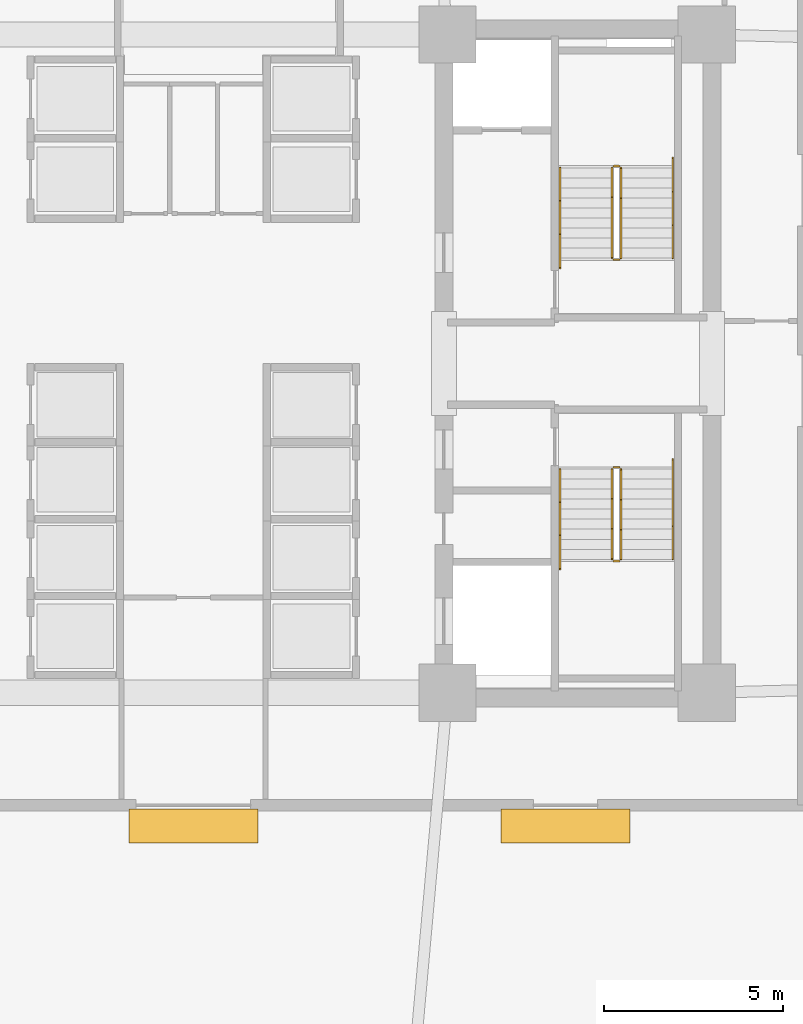
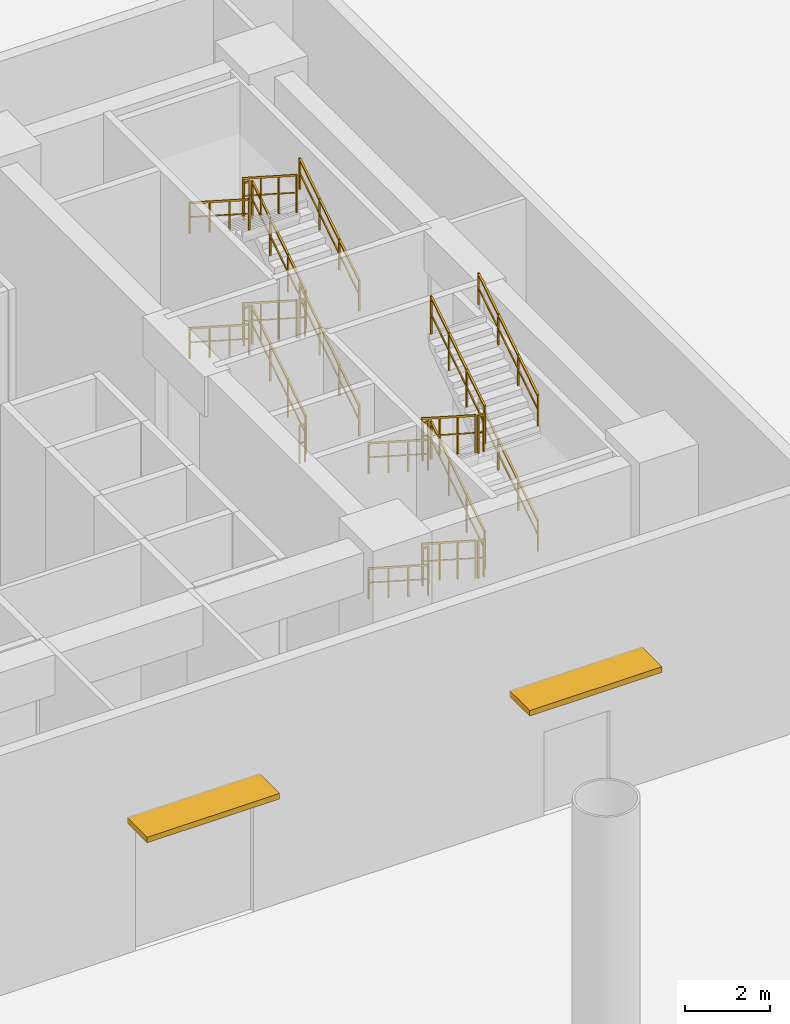
# One storey, part 8 of 10: 24 railings, 2 shading devices.
"""IFC4 building model written with IfcOpenShell, lengths in metres."""

import ifcopenshell
import ifcopenshell.guid

model = None  # the IFC model being written
_history = None  # IfcOwnerHistory: only IFC2X3 demands one
_inside = {}  # id of a spatial element -> (the spatial element, [elements in it])
_under = {}  # id of a project, library or spatial element -> (it, [spatial elements below it])
_declared = {}  # id of a project -> (the project, [libraries it declares])
_typed = {}  # id of a type object -> (the type object, [elements of that type])
_made_of = {}  # id of a material, layer set ... -> (it, [elements and type objects made of it])


def new_model(schema):
    """Start an empty IFC model of exactly this schema.

    Asked for "IFC4X3", IfcOpenShell would pick the latest addendum, in which some entities
    have other attributes; the version numbers below select the first issue.
    IFC2X3 requires an IfcOwnerHistory on every rooted entity: one is made here for all.
    """
    global model, _history
    if schema == "IFC4X3":
        model = ifcopenshell.file(schema_version=(4, 3, 0, 0))
    else:
        model = ifcopenshell.file(schema=schema)
    _inside.clear()
    _under.clear()
    _declared.clear()
    _typed.clear()
    _made_of.clear()
    _history = None
    if model.schema == "IFC2X3":
        org = make("IfcOrganization", Name="unknown")
        user = make(
            "IfcPersonAndOrganization",
            ThePerson=make("IfcPerson", FamilyName="unknown"),
            TheOrganization=org,
        )
        app = make(
            "IfcApplication",
            ApplicationDeveloper=org,
            Version="unknown",
            ApplicationFullName="unknown",
            ApplicationIdentifier="unknown",
        )
        _history = make(
            "IfcOwnerHistory",
            OwningUser=user,
            OwningApplication=app,
            ChangeAction="ADDED",
            CreationDate=0,
        )
    return model


def make(cls, **values):
    """One entity of the class cls with the attributes given. An attribute that is None is left unset."""
    return model.create_entity(
        cls, **{name: value for name, value in values.items() if value is not None}
    )


def rooted(cls, **values):
    """An entity with a GlobalId (a new one), such as an element, a storey or a relation."""
    return make(cls, GlobalId=ifcopenshell.guid.new(), OwnerHistory=_history, **values)


def si_unit(unit_type, name, prefix=None):
    """IfcSIUnit, for example si_unit("LENGTHUNIT", "METRE", prefix="MILLI")."""
    return make("IfcSIUnit", UnitType=unit_type, Prefix=prefix, Name=name)


def assignment(units):
    """IfcUnitAssignment: the units of a project."""
    return None if units is None else make("IfcUnitAssignment", Units=units)


def point(xyz):
    """IfcCartesianPoint."""
    return None if xyz is None else make("IfcCartesianPoint", Coordinates=xyz)


def direction(xyz):
    """IfcDirection."""
    return None if xyz is None else make("IfcDirection", DirectionRatios=xyz)


def frame(location, z_axis=None, x_axis=None):
    """IfcAxis2Placement3D, a coordinate frame: its origin and axes. An axis left out is left unset."""
    return make(
        "IfcAxis2Placement3D",
        Location=point(location),
        Axis=direction(z_axis),
        RefDirection=direction(x_axis),
    )


def frame_2d(location, x_axis=None):
    """IfcAxis2Placement2D, a coordinate frame in the plane: its origin and x axis."""
    return make(
        "IfcAxis2Placement2D", Location=point(location), RefDirection=direction(x_axis)
    )


def origin():
    """The frame at (0, 0, 0) with its axes left unset."""
    return frame((0.0, 0.0, 0.0))


def origin_2d():
    """The frame at (0, 0) in the plane with its x axis left unset."""
    return frame_2d((0.0, 0.0))


def place(relative_to, where):
    """IfcLocalPlacement: puts the frame where relative to a parent placement (None: the world)."""
    return make(
        "IfcLocalPlacement", PlacementRelTo=relative_to, RelativePlacement=where
    )


def context(
    kind, dimensions, precision=None, world=None, true_north=None, identifier=None
):
    """IfcGeometricRepresentationContext, for example the 3D "Model" context."""
    return make(
        "IfcGeometricRepresentationContext",
        ContextIdentifier=identifier,
        ContextType=kind,
        CoordinateSpaceDimension=dimensions,
        Precision=precision,
        WorldCoordinateSystem=world,
        TrueNorth=true_north,
    )


def subcontext(parent, identifier, kind, view, scale=None):
    """IfcGeometricRepresentationSubContext, for example "Body" below "Model"."""
    return make(
        "IfcGeometricRepresentationSubContext",
        ContextIdentifier=identifier,
        ContextType=kind,
        ParentContext=parent,
        TargetScale=scale,
        TargetView=view,
    )


def project(units=None, contexts=None):
    """IfcProject with its units and contexts."""
    return rooted(
        "IfcProject",
        Name="project",
        RepresentationContexts=contexts,
        UnitsInContext=assignment(units),
    )


def spatial(cls, under=None, at=None, **own):
    """A site, building, storey or space (cls), placed at a placement, below another one or the project."""
    s = rooted(cls, ObjectPlacement=at, **own)
    if under is not None:
        _under.setdefault(under.id(), (under, []))[1].append(s)
    return s


def profile(cls, at=None, kind="AREA", **sizes):
    """A parametric profile (cls). Its sizes go by their IFC names, for example OverallWidth=200.0."""
    return make(cls, ProfileType=kind, Position=at, **sizes)


def rectangle(**sizes):
    """IfcRectangleProfileDef."""
    return profile("IfcRectangleProfileDef", **sizes)


def extrude(swept, where, along, depth):
    """IfcExtrudedAreaSolid: the profile swept, set in the frame where, extruded along a direction by depth."""
    return make(
        "IfcExtrudedAreaSolid",
        SweptArea=swept,
        Position=where,
        ExtrudedDirection=direction(along),
        Depth=depth,
    )


def shape(context_of_items, identifier, shape_type, items):
    """IfcShapeRepresentation: the items that make up one representation, for example the "Body"."""
    return make(
        "IfcShapeRepresentation",
        ContextOfItems=context_of_items,
        RepresentationIdentifier=identifier,
        RepresentationType=shape_type,
        Items=items,
    )


def source(mapping_origin, context_of_items, identifier, shape_type, items):
    """IfcRepresentationMap: a shape defined once, which mapped items show again and again."""
    return make(
        "IfcRepresentationMap",
        MappingOrigin=mapping_origin,
        MappedRepresentation=shape(context_of_items, identifier, shape_type, items),
    )


def transform(
    local_origin,
    x_axis=None,
    y_axis=None,
    z_axis=None,
    scale=None,
    scale2=None,
    scale3=None,
    uniform=True,
):
    """IfcCartesianTransformationOperator3D, or its non-uniform kind. x_axis, y_axis, z_axis: its Axis1, 2, 3."""
    if uniform:
        return make(
            "IfcCartesianTransformationOperator3D",
            Axis1=direction(x_axis),
            Axis2=direction(y_axis),
            LocalOrigin=point(local_origin),
            Scale=scale,
            Axis3=direction(z_axis),
        )
    return make(
        "IfcCartesianTransformationOperator3DnonUniform",
        Axis1=direction(x_axis),
        Axis2=direction(y_axis),
        LocalOrigin=point(local_origin),
        Scale=scale,
        Axis3=direction(z_axis),
        Scale2=scale2,
        Scale3=scale3,
    )


def mapped(mapping_source, mapping_target):
    """IfcMappedItem: shows the shape of a source again, moved by a transform."""
    return make(
        "IfcMappedItem", MappingSource=mapping_source, MappingTarget=mapping_target
    )


def material(Name=None, Category=None):
    """IfcMaterial."""
    return make("IfcMaterial", Name=Name, Category=Category)


def layer(
    of_material, thickness, ventilated=None, Name=None, Category=None, Priority=None
):
    """IfcMaterialLayer: one layer of a wall or slab, of a material (None: an air gap)."""
    return make(
        "IfcMaterialLayer",
        Material=of_material,
        LayerThickness=thickness,
        IsVentilated=ventilated,
        Name=Name,
        Category=Category,
        Priority=Priority,
    )


def layer_set(layers, Name=None):
    """IfcMaterialLayerSet."""
    return make("IfcMaterialLayerSet", MaterialLayers=layers, LayerSetName=Name)


def made_of(thing, what):
    """Note that an element or type object is made of a material, layer set ...; save() writes the relation."""
    if what is not None:
        _made_of.setdefault(what.id(), (what, []))[1].append(thing)
    return thing


def type_object(cls, material=None, **own):
    """A type object (cls), such as IfcWallType, which elements share."""
    return made_of(rooted(cls, **own), material)


def element(
    cls,
    number,
    at=None,
    inside=None,
    cuts=None,
    type_object=None,
    material=None,
    context=None,
    identifier="Body",
    shape_type=None,
    held_by="IfcProductDefinitionShape",
    body=None,
    shapes=None,
    **own,
):
    """One element of the class cls, such as IfcWall. Its Tag is "e" and its number.

    at: its placement. inside: the storey or other place that contains it. cuts: it is an
    opening in that element (IfcRelVoidsElement). A single representation is given by context,
    identifier, shape_type and body (its items); several are given by shapes. held_by: the class
    of the entity that holds the representations. save() writes the other relations.
    """
    e = rooted(cls, Tag="e%d" % number, ObjectPlacement=at, **own)
    if body is not None:
        shapes = [shape(context, identifier, shape_type, body)]
    if shapes is not None:
        e.Representation = make(held_by, Representations=shapes)
    if inside is not None:
        _inside.setdefault(inside.id(), (inside, []))[1].append(e)
    if cuts is not None:
        rooted(
            "IfcRelVoidsElement", RelatingBuildingElement=cuts, RelatedOpeningElement=e
        )
    if type_object is not None:
        _typed.setdefault(type_object.id(), (type_object, []))[1].append(e)
    return made_of(e, material)


def aggregate(whole, parts):
    """IfcRelAggregates: a whole, such as a stair, and the parts it consists of."""
    return rooted("IfcRelAggregates", RelatingObject=whole, RelatedObjects=parts)


def save(model, path):
    """Write the relations noted so far, then the file.

    IfcRelAggregates (storeys below a building ...), IfcRelContainedInSpatialStructure (elements
    in a storey), IfcRelDefinesByType, IfcRelAssociatesMaterial and IfcRelDeclares: one each for
    every whole, place, type object, material and project.
    """
    for whole, parts in _under.values():
        aggregate(whole, parts)
    for where, things in _inside.values():
        rooted(
            "IfcRelContainedInSpatialStructure",
            RelatedElements=things,
            RelatingStructure=where,
        )
    for kind, things in _typed.values():
        rooted("IfcRelDefinesByType", RelatedObjects=things, RelatingType=kind)
    for what, things in _made_of.values():
        rooted("IfcRelAssociatesMaterial", RelatedObjects=things, RelatingMaterial=what)
    for by, libraries in _declared.values():
        rooted("IfcRelDeclares", RelatingContext=by, RelatedDefinitions=libraries)
    model.write(path)


model = new_model("IFC4")

# Units and contexts
model_context = context("Model", 3, precision=1e-05, world=origin(), true_north=direction((0.0, 1.0)))
body_context = subcontext(model_context, "Body", "Model", "MODEL_VIEW")
ifc_project = project(units=[si_unit("LENGTHUNIT", "METRE"), si_unit("AREAUNIT", "SQUARE_METRE"), si_unit("VOLUMEUNIT", "CUBIC_METRE"), si_unit("PLANEANGLEUNIT", "RADIAN"), si_unit("MASSUNIT", "GRAM", prefix="KILO")], contexts=[model_context])

# Site, building, storey
site_placement = place(None, origin())
site = spatial("IfcSite", under=ifc_project, at=site_placement, CompositionType="ELEMENT")
building_placement = place(site_placement, origin())
building = spatial("IfcBuilding", under=site, at=building_placement, Name="Zahravan Cultural Tower", CompositionType="ELEMENT")
storey_placement = place(building_placement, origin())
storey = spatial("IfcBuildingStorey", under=building, at=storey_placement, Name="L00", CompositionType="ELEMENT", Elevation=0.0)

# Railings
ifc_material_1 = material(Name="Steel ASTM A572 Grade 50", Category="steel")
railing_type_1 = type_object("IfcRailingType", Name="RL-STAIR-GRD1150", PredefinedType="BALUSTRADE", material=ifc_material_1)
railing_1_placement = place(storey_placement, frame((47.949951171875, 29.949951171875, 0.179931640625)))
element("IfcRailing", 1, at=railing_1_placement, inside=storey, type_object=railing_type_1, Name="L00 ST-E1 stair guard 1", PredefinedType="BALUSTRADE", context=body_context, shape_type="SweptSolid", body=[
    extrude(rectangle(XDim=0.05, YDim=0.05, at=origin_2d()), frame((0.0, 0.0, 1.0751953125), z_axis=(0.0, 0.841162588446, 0.540782303519), x_axis=(-1.0, 0.0, 0.0)), (0.0, 0.0, 1.0), 2.995849609375),
    extrude(rectangle(XDim=0.032, YDim=0.032, at=origin_2d()), frame((0.0, 0.0, 0.572021484375), z_axis=(0.0, 0.841162588446, 0.540782303519), x_axis=(-1.0, 0.0, 0.0)), (0.0, 0.0, 1.0), 2.995849609375),
    extrude(rectangle(XDim=0.04, YDim=0.04, at=origin_2d()), origin(), (0.0, 0.0, 1.0), 1.10009765625),
    extrude(rectangle(XDim=0.04, YDim=0.04, at=origin_2d()), frame((0.0, 0.840087890625, 0.5400390625)), (0.0, 0.0, 1.0), 1.10009765625),
    extrude(rectangle(XDim=0.04, YDim=0.04, at=origin_2d()), frame((0.0, 1.679931640625, 1.080078125)), (0.0, 0.0, 1.0), 1.10009765625),
    extrude(rectangle(XDim=0.04, YDim=0.04, at=origin_2d()), frame((0.0, 2.52001953125, 1.6201171875)), (0.0, 0.0, 1.0), 1.10009765625),
])
railing_2_placement = place(storey_placement, frame((47.89990234375, 32.52001953125, 1.800048828125)))
element("IfcRailing", 2, at=railing_2_placement, inside=storey, type_object=railing_type_1, Name="L00 ST-E1 stair guard 2", PredefinedType="BALUSTRADE", context=body_context, shape_type="SweptSolid", body=[
    extrude(rectangle(XDim=0.05, YDim=0.05, at=origin_2d()), frame((0.0, 0.0, 1.0751953125), z_axis=(-1.0, 0.0, 0.0), x_axis=(0.0, -1.0, 0.0)), (0.0, 0.0, 1.0), 0.14990234375),
    extrude(rectangle(XDim=0.032, YDim=0.032, at=origin_2d()), frame((0.0, 0.0, 0.572021484375), z_axis=(-1.0, 0.0, 0.0), x_axis=(0.0, -1.0, 0.0)), (0.0, 0.0, 1.0), 0.14990234375),
    extrude(rectangle(XDim=0.04, YDim=0.04, at=origin_2d()), origin(), (0.0, 0.0, 1.0), 1.10009765625),
    extrude(rectangle(XDim=0.04, YDim=0.04, at=origin_2d()), frame((-0.14990234375, 0.0, 0.0)), (0.0, 0.0, 1.0), 1.10009765625),
])
railing_3_placement = place(storey_placement, frame((47.699951171875, 32.469970703125, 1.97998046875)))
element("IfcRailing", 3, at=railing_3_placement, inside=storey, type_object=railing_type_1, Name="L00 ST-E1 stair guard 3", PredefinedType="BALUSTRADE", context=body_context, shape_type="SweptSolid", body=[
    extrude(rectangle(XDim=0.05, YDim=0.05, at=origin_2d()), frame((0.0, 0.0, 1.0751953125), z_axis=(0.0, -0.841162588446, 0.540782303519), x_axis=(1.0, 0.0, 0.0)), (0.0, 0.0, 1.0), 2.995849609375),
    extrude(rectangle(XDim=0.032, YDim=0.032, at=origin_2d()), frame((0.0, 0.0, 0.572021484375), z_axis=(0.0, -0.841162588446, 0.540782303519), x_axis=(1.0, 0.0, 0.0)), (0.0, 0.0, 1.0), 2.995849609375),
    extrude(rectangle(XDim=0.04, YDim=0.04, at=origin_2d()), origin(), (0.0, 0.0, 1.0), 1.10009765625),
    extrude(rectangle(XDim=0.04, YDim=0.04, at=origin_2d()), frame((0.0, -0.840087890625, 0.5400390625)), (0.0, 0.0, 1.0), 1.10009765625),
    extrude(rectangle(XDim=0.04, YDim=0.04, at=origin_2d()), frame((0.0, -1.679931640625, 1.080078125)), (0.0, 0.0, 1.0), 1.10009765625),
    extrude(rectangle(XDim=0.04, YDim=0.04, at=origin_2d()), frame((0.0, -2.52001953125, 1.6201171875)), (0.0, 0.0, 1.0), 1.10009765625),
])
railing_4_placement = place(storey_placement, frame((47.89990234375, 29.89990234375, 3.60009765625)))
element("IfcRailing", 4, at=railing_4_placement, inside=storey, type_object=railing_type_1, Name="L00 ST-E1 stair guard 4", PredefinedType="BALUSTRADE", context=body_context, shape_type="SweptSolid", body=[
    extrude(rectangle(XDim=0.05, YDim=0.05, at=origin_2d()), frame((0.0, 0.0, 1.0751953125), z_axis=(-1.0, 0.0, 0.0), x_axis=(0.0, -1.0, 0.0)), (0.0, 0.0, 1.0), 0.14990234375),
    extrude(rectangle(XDim=0.032, YDim=0.032, at=origin_2d()), frame((0.0, 0.0, 0.572021484375), z_axis=(-1.0, 0.0, 0.0), x_axis=(0.0, -1.0, 0.0)), (0.0, 0.0, 1.0), 0.14990234375),
    extrude(rectangle(XDim=0.04, YDim=0.04, at=origin_2d()), origin(), (0.0, 0.0, 1.0), 1.10009765625),
    extrude(rectangle(XDim=0.04, YDim=0.04, at=origin_2d()), frame((-0.14990234375, 0.0, 0.0)), (0.0, 0.0, 1.0), 1.10009765625),
])
railing_5_placement = place(storey_placement, frame((47.949951171875, 29.949951171875, 3.780029296875)))
element("IfcRailing", 5, at=railing_5_placement, inside=storey, type_object=railing_type_1, Name="L00 ST-E1 stair guard 5", PredefinedType="BALUSTRADE", context=body_context, shape_type="SweptSolid", body=[
    extrude(rectangle(XDim=0.05, YDim=0.05, at=origin_2d()), frame((0.0, 0.0, 1.0751953125), z_axis=(0.0, 0.841199657755, 0.540724639528), x_axis=(-1.0, 0.0, 0.0)), (0.0, 0.0, 1.0), 2.995849609375),
    extrude(rectangle(XDim=0.032, YDim=0.032, at=origin_2d()), frame((0.0, 0.0, 0.572021484375), z_axis=(0.0, 0.841199657755, 0.540724639528), x_axis=(-1.0, 0.0, 0.0)), (0.0, 0.0, 1.0), 2.995849609375),
    extrude(rectangle(XDim=0.04, YDim=0.04, at=origin_2d()), origin(), (0.0, 0.0, 1.0), 1.10009765625),
    extrude(rectangle(XDim=0.04, YDim=0.04, at=origin_2d()), frame((0.0, 0.840087890625, 0.5400390625)), (0.0, 0.0, 1.0), 1.10009765625),
    extrude(rectangle(XDim=0.04, YDim=0.04, at=origin_2d()), frame((0.0, 1.679931640625, 1.079833984375)), (0.0, 0.0, 1.0), 1.10009765625),
    extrude(rectangle(XDim=0.04, YDim=0.04, at=origin_2d()), frame((0.0, 2.52001953125, 1.619873046875)), (0.0, 0.0, 1.0), 1.10009765625),
])
railing_6_placement = place(storey_placement, frame((47.89990234375, 32.52001953125, 5.39990234375)))
element("IfcRailing", 6, at=railing_6_placement, inside=storey, type_object=railing_type_1, Name="L00 ST-E1 stair guard 6", PredefinedType="BALUSTRADE", context=body_context, shape_type="SweptSolid", body=[
    extrude(rectangle(XDim=0.05, YDim=0.05, at=origin_2d()), frame((0.0, 0.0, 1.0751953125), z_axis=(-1.0, 0.0, 0.0), x_axis=(0.0, -1.0, 0.0)), (0.0, 0.0, 1.0), 0.14990234375),
    extrude(rectangle(XDim=0.032, YDim=0.032, at=origin_2d()), frame((0.0, 0.0, 0.572021484375), z_axis=(-1.0, 0.0, 0.0), x_axis=(0.0, -1.0, 0.0)), (0.0, 0.0, 1.0), 0.14990234375),
    extrude(rectangle(XDim=0.04, YDim=0.04, at=origin_2d()), origin(), (0.0, 0.0, 1.0), 1.10009765625),
    extrude(rectangle(XDim=0.04, YDim=0.04, at=origin_2d()), frame((-0.14990234375, 0.0, 0.0)), (0.0, 0.0, 1.0), 1.10009765625),
])
railing_7_placement = place(storey_placement, frame((47.699951171875, 32.469970703125, 5.580078125)))
element("IfcRailing", 7, at=railing_7_placement, inside=storey, type_object=railing_type_1, Name="L00 ST-E1 stair guard 7", PredefinedType="BALUSTRADE", context=body_context, shape_type="SweptSolid", body=[
    extrude(rectangle(XDim=0.05, YDim=0.05, at=origin_2d()), frame((0.0, 0.0, 1.0751953125), z_axis=(0.0, -0.841199657755, 0.540724639528), x_axis=(1.0, 0.0, 0.0)), (0.0, 0.0, 1.0), 2.995849609375),
    extrude(rectangle(XDim=0.032, YDim=0.032, at=origin_2d()), frame((0.0, 0.0, 0.572021484375), z_axis=(0.0, -0.841199657755, 0.540724639528), x_axis=(1.0, 0.0, 0.0)), (0.0, 0.0, 1.0), 2.995849609375),
    extrude(rectangle(XDim=0.04, YDim=0.04, at=origin_2d()), origin(), (0.0, 0.0, 1.0), 1.10009765625),
    extrude(rectangle(XDim=0.04, YDim=0.04, at=origin_2d()), frame((0.0, -0.840087890625, 0.5400390625)), (0.0, 0.0, 1.0), 1.10009765625),
    extrude(rectangle(XDim=0.04, YDim=0.04, at=origin_2d()), frame((0.0, -1.679931640625, 1.079833984375)), (0.0, 0.0, 1.0), 1.10009765625),
    extrude(rectangle(XDim=0.04, YDim=0.04, at=origin_2d()), frame((0.0, -2.52001953125, 1.619873046875)), (0.0, 0.0, 1.0), 1.10009765625),
])
railing_8_placement = place(storey_placement, frame((47.89990234375, 29.89990234375, 0.0)))
element("IfcRailing", 8, at=railing_8_placement, inside=storey, type_object=railing_type_1, Name="L00 ST-E1 stair guard 8", PredefinedType="BALUSTRADE", context=body_context, shape_type="SweptSolid", body=[
    extrude(rectangle(XDim=0.05, YDim=0.05, at=origin_2d()), frame((0.0, 0.0, 1.0751953125), z_axis=(-1.0, 0.0, 0.0), x_axis=(0.0, -1.0, 0.0)), (0.0, 0.0, 1.0), 0.14990234375),
    extrude(rectangle(XDim=0.032, YDim=0.032, at=origin_2d()), frame((0.0, 0.0, 0.572021484375), z_axis=(-1.0, 0.0, 0.0), x_axis=(0.0, -1.0, 0.0)), (0.0, 0.0, 1.0), 0.14990234375),
    extrude(rectangle(XDim=0.04, YDim=0.04, at=origin_2d()), origin(), (0.0, 0.0, 1.0), 1.10009765625),
    extrude(rectangle(XDim=0.04, YDim=0.04, at=origin_2d()), frame((-0.14990234375, 0.0, 0.0)), (0.0, 0.0, 1.0), 1.10009765625),
])
railing_9_placement = place(storey_placement, frame((47.699951171875, 24.050048828125, 0.179931640625)))
element("IfcRailing", 9, at=railing_9_placement, inside=storey, type_object=railing_type_1, Name="L00 ST-E2 stair guard 1", PredefinedType="BALUSTRADE", context=body_context, shape_type="SweptSolid", body=[
    extrude(rectangle(XDim=0.05, YDim=0.05, at=origin_2d()), frame((0.0, 0.0, 1.0751953125), z_axis=(0.0, -0.841162588446, 0.540782303519), x_axis=(1.0, 0.0, 0.0)), (0.0, 0.0, 1.0), 2.995849609375),
    extrude(rectangle(XDim=0.032, YDim=0.032, at=origin_2d()), frame((0.0, 0.0, 0.572021484375), z_axis=(0.0, -0.841162588446, 0.540782303519), x_axis=(1.0, 0.0, 0.0)), (0.0, 0.0, 1.0), 2.995849609375),
    extrude(rectangle(XDim=0.04, YDim=0.04, at=origin_2d()), origin(), (0.0, 0.0, 1.0), 1.10009765625),
    extrude(rectangle(XDim=0.04, YDim=0.04, at=origin_2d()), frame((0.0, -0.840087890625, 0.5400390625)), (0.0, 0.0, 1.0), 1.10009765625),
    extrude(rectangle(XDim=0.04, YDim=0.04, at=origin_2d()), frame((0.0, -1.679931640625, 1.080078125)), (0.0, 0.0, 1.0), 1.10009765625),
    extrude(rectangle(XDim=0.04, YDim=0.04, at=origin_2d()), frame((0.0, -2.52001953125, 1.6201171875)), (0.0, 0.0, 1.0), 1.10009765625),
])
railing_10_placement = place(storey_placement, frame((47.75, 21.47998046875, 1.800048828125)))
element("IfcRailing", 10, at=railing_10_placement, inside=storey, type_object=railing_type_1, Name="L00 ST-E2 stair guard 2", PredefinedType="BALUSTRADE", context=body_context, shape_type="SweptSolid", body=[
    extrude(rectangle(XDim=0.05, YDim=0.05, at=origin_2d()), frame((0.0, 0.0, 1.0751953125), z_axis=(1.0, 0.0, 0.0), x_axis=(0.0, 1.0, 0.0)), (0.0, 0.0, 1.0), 0.14990234375),
    extrude(rectangle(XDim=0.032, YDim=0.032, at=origin_2d()), frame((0.0, 0.0, 0.572021484375), z_axis=(1.0, 0.0, 0.0), x_axis=(0.0, 1.0, 0.0)), (0.0, 0.0, 1.0), 0.14990234375),
    extrude(rectangle(XDim=0.04, YDim=0.04, at=origin_2d()), origin(), (0.0, 0.0, 1.0), 1.10009765625),
    extrude(rectangle(XDim=0.04, YDim=0.04, at=origin_2d()), frame((0.14990234375, 0.0, 0.0)), (0.0, 0.0, 1.0), 1.10009765625),
])
railing_11_placement = place(storey_placement, frame((47.949951171875, 21.530029296875, 1.97998046875)))
element("IfcRailing", 11, at=railing_11_placement, inside=storey, type_object=railing_type_1, Name="L00 ST-E2 stair guard 3", PredefinedType="BALUSTRADE", context=body_context, shape_type="SweptSolid", body=[
    extrude(rectangle(XDim=0.05, YDim=0.05, at=origin_2d()), frame((0.0, 0.0, 1.0751953125), z_axis=(0.0, 0.841162588446, 0.540782303519), x_axis=(-1.0, 0.0, 0.0)), (0.0, 0.0, 1.0), 2.995849609375),
    extrude(rectangle(XDim=0.032, YDim=0.032, at=origin_2d()), frame((0.0, 0.0, 0.572021484375), z_axis=(0.0, 0.841162588446, 0.540782303519), x_axis=(-1.0, 0.0, 0.0)), (0.0, 0.0, 1.0), 2.995849609375),
    extrude(rectangle(XDim=0.04, YDim=0.04, at=origin_2d()), origin(), (0.0, 0.0, 1.0), 1.10009765625),
    extrude(rectangle(XDim=0.04, YDim=0.04, at=origin_2d()), frame((0.0, 0.840087890625, 0.5400390625)), (0.0, 0.0, 1.0), 1.10009765625),
    extrude(rectangle(XDim=0.04, YDim=0.04, at=origin_2d()), frame((0.0, 1.679931640625, 1.080078125)), (0.0, 0.0, 1.0), 1.10009765625),
    extrude(rectangle(XDim=0.04, YDim=0.04, at=origin_2d()), frame((0.0, 2.52001953125, 1.6201171875)), (0.0, 0.0, 1.0), 1.10009765625),
])
railing_12_placement = place(storey_placement, frame((47.75, 24.10009765625, 3.60009765625)))
element("IfcRailing", 12, at=railing_12_placement, inside=storey, type_object=railing_type_1, Name="L00 ST-E2 stair guard 4", PredefinedType="BALUSTRADE", context=body_context, shape_type="SweptSolid", body=[
    extrude(rectangle(XDim=0.05, YDim=0.05, at=origin_2d()), frame((0.0, 0.0, 1.0751953125), z_axis=(1.0, 0.0, 0.0), x_axis=(0.0, 1.0, 0.0)), (0.0, 0.0, 1.0), 0.14990234375),
    extrude(rectangle(XDim=0.032, YDim=0.032, at=origin_2d()), frame((0.0, 0.0, 0.572021484375), z_axis=(1.0, 0.0, 0.0), x_axis=(0.0, 1.0, 0.0)), (0.0, 0.0, 1.0), 0.14990234375),
    extrude(rectangle(XDim=0.04, YDim=0.04, at=origin_2d()), origin(), (0.0, 0.0, 1.0), 1.10009765625),
    extrude(rectangle(XDim=0.04, YDim=0.04, at=origin_2d()), frame((0.14990234375, 0.0, 0.0)), (0.0, 0.0, 1.0), 1.10009765625),
])
railing_13_placement = place(storey_placement, frame((47.699951171875, 24.050048828125, 3.780029296875)))
element("IfcRailing", 13, at=railing_13_placement, inside=storey, type_object=railing_type_1, Name="L00 ST-E2 stair guard 5", PredefinedType="BALUSTRADE", context=body_context, shape_type="SweptSolid", body=[
    extrude(rectangle(XDim=0.05, YDim=0.05, at=origin_2d()), frame((0.0, 0.0, 1.0751953125), z_axis=(0.0, -0.841199657755, 0.540724639528), x_axis=(1.0, 0.0, 0.0)), (0.0, 0.0, 1.0), 2.995849609375),
    extrude(rectangle(XDim=0.032, YDim=0.032, at=origin_2d()), frame((0.0, 0.0, 0.572021484375), z_axis=(0.0, -0.841199657755, 0.540724639528), x_axis=(1.0, 0.0, 0.0)), (0.0, 0.0, 1.0), 2.995849609375),
    extrude(rectangle(XDim=0.04, YDim=0.04, at=origin_2d()), origin(), (0.0, 0.0, 1.0), 1.10009765625),
    extrude(rectangle(XDim=0.04, YDim=0.04, at=origin_2d()), frame((0.0, -0.840087890625, 0.5400390625)), (0.0, 0.0, 1.0), 1.10009765625),
    extrude(rectangle(XDim=0.04, YDim=0.04, at=origin_2d()), frame((0.0, -1.679931640625, 1.079833984375)), (0.0, 0.0, 1.0), 1.10009765625),
    extrude(rectangle(XDim=0.04, YDim=0.04, at=origin_2d()), frame((0.0, -2.52001953125, 1.619873046875)), (0.0, 0.0, 1.0), 1.10009765625),
])
railing_14_placement = place(storey_placement, frame((47.75, 21.47998046875, 5.39990234375)))
element("IfcRailing", 14, at=railing_14_placement, inside=storey, type_object=railing_type_1, Name="L00 ST-E2 stair guard 6", PredefinedType="BALUSTRADE", context=body_context, shape_type="SweptSolid", body=[
    extrude(rectangle(XDim=0.05, YDim=0.05, at=origin_2d()), frame((0.0, 0.0, 1.0751953125), z_axis=(1.0, 0.0, 0.0), x_axis=(0.0, 1.0, 0.0)), (0.0, 0.0, 1.0), 0.14990234375),
    extrude(rectangle(XDim=0.032, YDim=0.032, at=origin_2d()), frame((0.0, 0.0, 0.572021484375), z_axis=(1.0, 0.0, 0.0), x_axis=(0.0, 1.0, 0.0)), (0.0, 0.0, 1.0), 0.14990234375),
    extrude(rectangle(XDim=0.04, YDim=0.04, at=origin_2d()), origin(), (0.0, 0.0, 1.0), 1.10009765625),
    extrude(rectangle(XDim=0.04, YDim=0.04, at=origin_2d()), frame((0.14990234375, 0.0, 0.0)), (0.0, 0.0, 1.0), 1.10009765625),
])
railing_15_placement = place(storey_placement, frame((47.949951171875, 21.530029296875, 5.580078125)))
element("IfcRailing", 15, at=railing_15_placement, inside=storey, type_object=railing_type_1, Name="L00 ST-E2 stair guard 7", PredefinedType="BALUSTRADE", context=body_context, shape_type="SweptSolid", body=[
    extrude(rectangle(XDim=0.05, YDim=0.05, at=origin_2d()), frame((0.0, 0.0, 1.0751953125), z_axis=(0.0, 0.841199657755, 0.540724639528), x_axis=(-1.0, 0.0, 0.0)), (0.0, 0.0, 1.0), 2.995849609375),
    extrude(rectangle(XDim=0.032, YDim=0.032, at=origin_2d()), frame((0.0, 0.0, 0.572021484375), z_axis=(0.0, 0.841199657755, 0.540724639528), x_axis=(-1.0, 0.0, 0.0)), (0.0, 0.0, 1.0), 2.995849609375),
    extrude(rectangle(XDim=0.04, YDim=0.04, at=origin_2d()), origin(), (0.0, 0.0, 1.0), 1.10009765625),
    extrude(rectangle(XDim=0.04, YDim=0.04, at=origin_2d()), frame((0.0, 0.840087890625, 0.5400390625)), (0.0, 0.0, 1.0), 1.10009765625),
    extrude(rectangle(XDim=0.04, YDim=0.04, at=origin_2d()), frame((0.0, 1.679931640625, 1.079833984375)), (0.0, 0.0, 1.0), 1.10009765625),
    extrude(rectangle(XDim=0.04, YDim=0.04, at=origin_2d()), frame((0.0, 2.52001953125, 1.619873046875)), (0.0, 0.0, 1.0), 1.10009765625),
])
railing_16_placement = place(storey_placement, frame((47.75, 24.10009765625, 0.0)))
element("IfcRailing", 16, at=railing_16_placement, inside=storey, type_object=railing_type_1, Name="L00 ST-E2 stair guard 8", PredefinedType="BALUSTRADE", context=body_context, shape_type="SweptSolid", body=[
    extrude(rectangle(XDim=0.05, YDim=0.05, at=origin_2d()), frame((0.0, 0.0, 1.0751953125), z_axis=(1.0, 0.0, 0.0), x_axis=(0.0, 1.0, 0.0)), (0.0, 0.0, 1.0), 0.14990234375),
    extrude(rectangle(XDim=0.032, YDim=0.032, at=origin_2d()), frame((0.0, 0.0, 0.572021484375), z_axis=(1.0, 0.0, 0.0), x_axis=(0.0, 1.0, 0.0)), (0.0, 0.0, 1.0), 0.14990234375),
    extrude(rectangle(XDim=0.04, YDim=0.04, at=origin_2d()), origin(), (0.0, 0.0, 1.0), 1.10009765625),
    extrude(rectangle(XDim=0.04, YDim=0.04, at=origin_2d()), frame((0.14990234375, 0.0, 0.0)), (0.0, 0.0, 1.0), 1.10009765625),
])
railing_type_2 = type_object("IfcRailingType", Name="RL-STAIR-HR900", PredefinedType="HANDRAIL", material=ifc_material_1)
railing_17_placement = place(storey_placement, frame((49.39990234375, 29.949951171875, 0.179931640625)))
element("IfcRailing", 17, at=railing_17_placement, inside=storey, type_object=railing_type_2, Name="L00 ST-E1 stair handrail 1", PredefinedType="HANDRAIL", context=body_context, shape_type="SweptSolid", body=[
    extrude(rectangle(XDim=0.05, YDim=0.05, at=origin_2d()), frame((0.0, 0.0, 0.875), z_axis=(0.0, 0.841176092368, 0.540761298198), x_axis=(-1.0, 0.0, 0.0)), (0.0, 0.0, 1.0), 3.32861328125),
    extrude(rectangle(XDim=0.032, YDim=0.032, at=origin_2d()), frame((0.0, 0.0, 0.468017578125), z_axis=(0.0, 0.841176092368, 0.540761298198), x_axis=(-1.0, 0.0, 0.0)), (0.0, 0.0, 1.0), 3.32861328125),
    extrude(rectangle(XDim=0.04, YDim=0.04, at=origin_2d()), origin(), (0.0, 0.0, 1.0), 0.89990234375),
    extrude(rectangle(XDim=0.04, YDim=0.04, at=origin_2d()), frame((0.0, 0.933349609375, 0.60009765625)), (0.0, 0.0, 1.0), 0.89990234375),
    extrude(rectangle(XDim=0.04, YDim=0.04, at=origin_2d()), frame((0.0, 1.86669921875, 1.199951171875)), (0.0, 0.0, 1.0), 0.89990234375),
    extrude(rectangle(XDim=0.04, YDim=0.04, at=origin_2d()), frame((0.0, 2.800048828125, 1.800048828125)), (0.0, 0.0, 1.0), 0.89990234375),
])
railing_18_placement = place(storey_placement, frame((46.25, 32.469970703125, 1.97998046875)))
element("IfcRailing", 18, at=railing_18_placement, inside=storey, type_object=railing_type_2, Name="L00 ST-E1 stair handrail 2", PredefinedType="HANDRAIL", context=body_context, shape_type="SweptSolid", body=[
    extrude(rectangle(XDim=0.05, YDim=0.05, at=origin_2d()), frame((0.0, 0.0, 0.875), z_axis=(0.0, -0.841176092368, 0.540761298198), x_axis=(1.0, 0.0, 0.0)), (0.0, 0.0, 1.0), 3.32861328125),
    extrude(rectangle(XDim=0.032, YDim=0.032, at=origin_2d()), frame((0.0, 0.0, 0.468017578125), z_axis=(0.0, -0.841176092368, 0.540761298198), x_axis=(1.0, 0.0, 0.0)), (0.0, 0.0, 1.0), 3.32861328125),
    extrude(rectangle(XDim=0.04, YDim=0.04, at=origin_2d()), origin(), (0.0, 0.0, 1.0), 0.89990234375),
    extrude(rectangle(XDim=0.04, YDim=0.04, at=origin_2d()), frame((0.0, -0.933349609375, 0.60009765625)), (0.0, 0.0, 1.0), 0.89990234375),
    extrude(rectangle(XDim=0.04, YDim=0.04, at=origin_2d()), frame((0.0, -1.86669921875, 1.199951171875)), (0.0, 0.0, 1.0), 0.89990234375),
    extrude(rectangle(XDim=0.04, YDim=0.04, at=origin_2d()), frame((0.0, -2.800048828125, 1.800048828125)), (0.0, 0.0, 1.0), 0.89990234375),
])
railing_19_placement = place(storey_placement, frame((49.39990234375, 29.949951171875, 3.780029296875)))
element("IfcRailing", 19, at=railing_19_placement, inside=storey, type_object=railing_type_2, Name="L00 ST-E1 stair handrail 3", PredefinedType="HANDRAIL", context=body_context, shape_type="SweptSolid", body=[
    extrude(rectangle(XDim=0.05, YDim=0.05, at=origin_2d()), frame((0.0, 0.0, 0.875), z_axis=(0.0, 0.841176092368, 0.540761298198), x_axis=(-1.0, 0.0, 0.0)), (0.0, 0.0, 1.0), 3.32861328125),
    extrude(rectangle(XDim=0.032, YDim=0.032, at=origin_2d()), frame((0.0, 0.0, 0.468017578125), z_axis=(0.0, 0.841176092368, 0.540761298198), x_axis=(-1.0, 0.0, 0.0)), (0.0, 0.0, 1.0), 3.32861328125),
    extrude(rectangle(XDim=0.04, YDim=0.04, at=origin_2d()), origin(), (0.0, 0.0, 1.0), 0.89990234375),
    extrude(rectangle(XDim=0.04, YDim=0.04, at=origin_2d()), frame((0.0, 0.933349609375, 0.60009765625)), (0.0, 0.0, 1.0), 0.89990234375),
    extrude(rectangle(XDim=0.04, YDim=0.04, at=origin_2d()), frame((0.0, 1.86669921875, 1.199951171875)), (0.0, 0.0, 1.0), 0.89990234375),
    extrude(rectangle(XDim=0.04, YDim=0.04, at=origin_2d()), frame((0.0, 2.800048828125, 1.800048828125)), (0.0, 0.0, 1.0), 0.89990234375),
])
railing_20_placement = place(storey_placement, frame((46.25, 32.469970703125, 5.580078125)))
element("IfcRailing", 20, at=railing_20_placement, inside=storey, type_object=railing_type_2, Name="L00 ST-E1 stair handrail 4", PredefinedType="HANDRAIL", context=body_context, shape_type="SweptSolid", body=[
    extrude(rectangle(XDim=0.05, YDim=0.05, at=origin_2d()), frame((0.0, 0.0, 0.875), z_axis=(0.0, -0.841209454229, 0.540709398952), x_axis=(1.0, 0.0, 0.0)), (0.0, 0.0, 1.0), 3.32861328125),
    extrude(rectangle(XDim=0.032, YDim=0.032, at=origin_2d()), frame((0.0, 0.0, 0.468017578125), z_axis=(0.0, -0.841209454229, 0.540709398952), x_axis=(1.0, 0.0, 0.0)), (0.0, 0.0, 1.0), 3.32861328125),
    extrude(rectangle(XDim=0.04, YDim=0.04, at=origin_2d()), origin(), (0.0, 0.0, 1.0), 0.89990234375),
    extrude(rectangle(XDim=0.04, YDim=0.04, at=origin_2d()), frame((0.0, -0.933349609375, 0.599853515625)), (0.0, 0.0, 1.0), 0.89990234375),
    extrude(rectangle(XDim=0.04, YDim=0.04, at=origin_2d()), frame((0.0, -1.86669921875, 1.199951171875)), (0.0, 0.0, 1.0), 0.89990234375),
    extrude(rectangle(XDim=0.04, YDim=0.04, at=origin_2d()), frame((0.0, -2.800048828125, 1.7998046875)), (0.0, 0.0, 1.0), 0.89990234375),
])
railing_21_placement = place(storey_placement, frame((46.25, 24.050048828125, 0.179931640625)))
element("IfcRailing", 21, at=railing_21_placement, inside=storey, type_object=railing_type_2, Name="L00 ST-E2 stair handrail 1", PredefinedType="HANDRAIL", context=body_context, shape_type="SweptSolid", body=[
    extrude(rectangle(XDim=0.05, YDim=0.05, at=origin_2d()), frame((0.0, 0.0, 0.875), z_axis=(0.0, -0.841176092368, 0.540761298198), x_axis=(1.0, 0.0, 0.0)), (0.0, 0.0, 1.0), 3.32861328125),
    extrude(rectangle(XDim=0.032, YDim=0.032, at=origin_2d()), frame((0.0, 0.0, 0.468017578125), z_axis=(0.0, -0.841176092368, 0.540761298198), x_axis=(1.0, 0.0, 0.0)), (0.0, 0.0, 1.0), 3.32861328125),
    extrude(rectangle(XDim=0.04, YDim=0.04, at=origin_2d()), origin(), (0.0, 0.0, 1.0), 0.89990234375),
    extrude(rectangle(XDim=0.04, YDim=0.04, at=origin_2d()), frame((0.0, -0.933349609375, 0.60009765625)), (0.0, 0.0, 1.0), 0.89990234375),
    extrude(rectangle(XDim=0.04, YDim=0.04, at=origin_2d()), frame((0.0, -1.86669921875, 1.199951171875)), (0.0, 0.0, 1.0), 0.89990234375),
    extrude(rectangle(XDim=0.04, YDim=0.04, at=origin_2d()), frame((0.0, -2.800048828125, 1.800048828125)), (0.0, 0.0, 1.0), 0.89990234375),
])
railing_22_placement = place(storey_placement, frame((49.39990234375, 21.530029296875, 1.97998046875)))
element("IfcRailing", 22, at=railing_22_placement, inside=storey, type_object=railing_type_2, Name="L00 ST-E2 stair handrail 2", PredefinedType="HANDRAIL", context=body_context, shape_type="SweptSolid", body=[
    extrude(rectangle(XDim=0.05, YDim=0.05, at=origin_2d()), frame((0.0, 0.0, 0.875), z_axis=(0.0, 0.841176092368, 0.540761298198), x_axis=(-1.0, 0.0, 0.0)), (0.0, 0.0, 1.0), 3.32861328125),
    extrude(rectangle(XDim=0.032, YDim=0.032, at=origin_2d()), frame((0.0, 0.0, 0.468017578125), z_axis=(0.0, 0.841176092368, 0.540761298198), x_axis=(-1.0, 0.0, 0.0)), (0.0, 0.0, 1.0), 3.32861328125),
    extrude(rectangle(XDim=0.04, YDim=0.04, at=origin_2d()), origin(), (0.0, 0.0, 1.0), 0.89990234375),
    extrude(rectangle(XDim=0.04, YDim=0.04, at=origin_2d()), frame((0.0, 0.933349609375, 0.60009765625)), (0.0, 0.0, 1.0), 0.89990234375),
    extrude(rectangle(XDim=0.04, YDim=0.04, at=origin_2d()), frame((0.0, 1.86669921875, 1.199951171875)), (0.0, 0.0, 1.0), 0.89990234375),
    extrude(rectangle(XDim=0.04, YDim=0.04, at=origin_2d()), frame((0.0, 2.800048828125, 1.800048828125)), (0.0, 0.0, 1.0), 0.89990234375),
])
railing_23_placement = place(storey_placement, frame((46.25, 24.050048828125, 3.780029296875)))
element("IfcRailing", 23, at=railing_23_placement, inside=storey, type_object=railing_type_2, Name="L00 ST-E2 stair handrail 3", PredefinedType="HANDRAIL", context=body_context, shape_type="SweptSolid", body=[
    extrude(rectangle(XDim=0.05, YDim=0.05, at=origin_2d()), frame((0.0, 0.0, 0.875), z_axis=(0.0, -0.841176092368, 0.540761298198), x_axis=(1.0, 0.0, 0.0)), (0.0, 0.0, 1.0), 3.32861328125),
    extrude(rectangle(XDim=0.032, YDim=0.032, at=origin_2d()), frame((0.0, 0.0, 0.468017578125), z_axis=(0.0, -0.841176092368, 0.540761298198), x_axis=(1.0, 0.0, 0.0)), (0.0, 0.0, 1.0), 3.32861328125),
    extrude(rectangle(XDim=0.04, YDim=0.04, at=origin_2d()), origin(), (0.0, 0.0, 1.0), 0.89990234375),
    extrude(rectangle(XDim=0.04, YDim=0.04, at=origin_2d()), frame((0.0, -0.933349609375, 0.60009765625)), (0.0, 0.0, 1.0), 0.89990234375),
    extrude(rectangle(XDim=0.04, YDim=0.04, at=origin_2d()), frame((0.0, -1.86669921875, 1.199951171875)), (0.0, 0.0, 1.0), 0.89990234375),
    extrude(rectangle(XDim=0.04, YDim=0.04, at=origin_2d()), frame((0.0, -2.800048828125, 1.800048828125)), (0.0, 0.0, 1.0), 0.89990234375),
])
railing_24_placement = place(storey_placement, frame((49.39990234375, 21.530029296875, 5.580078125)))
element("IfcRailing", 24, at=railing_24_placement, inside=storey, type_object=railing_type_2, Name="L00 ST-E2 stair handrail 4", PredefinedType="HANDRAIL", context=body_context, shape_type="SweptSolid", body=[
    extrude(rectangle(XDim=0.05, YDim=0.05, at=origin_2d()), frame((0.0, 0.0, 0.875), z_axis=(0.0, 0.841209454229, 0.540709398952), x_axis=(-1.0, 0.0, 0.0)), (0.0, 0.0, 1.0), 3.32861328125),
    extrude(rectangle(XDim=0.032, YDim=0.032, at=origin_2d()), frame((0.0, 0.0, 0.468017578125), z_axis=(0.0, 0.841209454229, 0.540709398952), x_axis=(-1.0, 0.0, 0.0)), (0.0, 0.0, 1.0), 3.32861328125),
    extrude(rectangle(XDim=0.04, YDim=0.04, at=origin_2d()), origin(), (0.0, 0.0, 1.0), 0.89990234375),
    extrude(rectangle(XDim=0.04, YDim=0.04, at=origin_2d()), frame((0.0, 0.933349609375, 0.599853515625)), (0.0, 0.0, 1.0), 0.89990234375),
    extrude(rectangle(XDim=0.04, YDim=0.04, at=origin_2d()), frame((0.0, 1.86669921875, 1.199951171875)), (0.0, 0.0, 1.0), 0.89990234375),
    extrude(rectangle(XDim=0.04, YDim=0.04, at=origin_2d()), frame((0.0, 2.800048828125, 1.7998046875)), (0.0, 0.0, 1.0), 0.89990234375),
])

# Shading devices
ifc_material_2 = material(Name="Architectural terracotta fin", Category="masonry")
ifc_layer = layer(ifc_material_2, 0.159912109375)
ifc_layer_set = layer_set([ifc_layer], Name="Architectural terracotta fin")
shading_device_type = type_object("IfcShadingDeviceType", Name="SHD-SUNSHADE-950", PredefinedType="USERDEFINED", material=ifc_layer_set)
shared_shape = source(origin(), body_context, "Body", "SweptSolid", [
    extrude(rectangle(XDim=3.60009765625, YDim=0.949951171875, at=origin_2d()), origin(), (0.0, 0.0, 1.0), 0.159912109375),
])
for number, where, z_axis, x_axis, name in (
    (25, (36.0, 14.080078125, 3.72021484375), (0.0, 0.0, 1.0), (1.0, 0.0, 0.0), "L00 Terracotta Entrance Sunshade 05"),
    (26, (46.39990234375, 14.080078125, 3.72021484375), (0.0, 0.0, 1.0), (1.0, 0.0, 0.0), "L00 Terracotta Entrance Sunshade 06"),
):
    element("IfcShadingDevice", number, at=place(storey_placement, frame(where, z_axis=z_axis, x_axis=x_axis)), inside=storey, type_object=shading_device_type, Name=name, ObjectType="SUNSHADE", PredefinedType="USERDEFINED", context=body_context, shape_type="MappedRepresentation", body=[
        mapped(shared_shape, transform((0.0, 0.0, 0.0), x_axis=(1.0, 0.0, 0.0), y_axis=(0.0, 1.0, 0.0), z_axis=(0.0, 0.0, 1.0), scale=1.0)),
    ])

save(model, "model.ifc")
